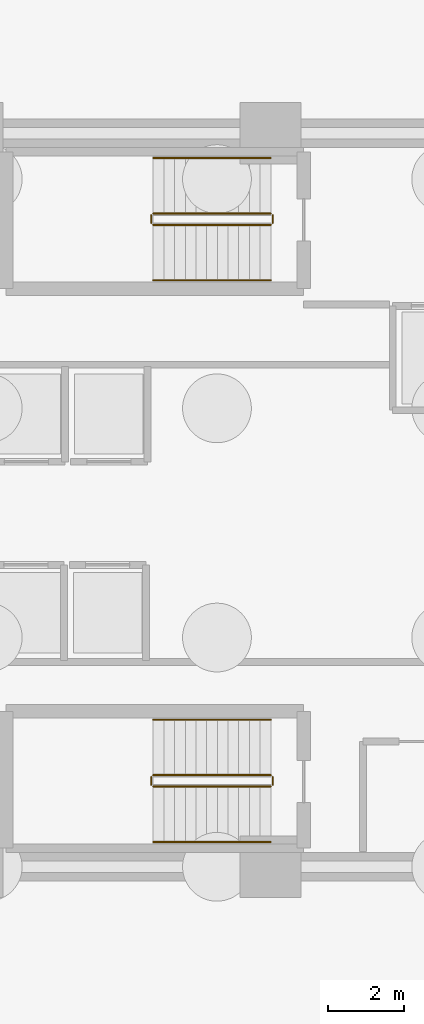
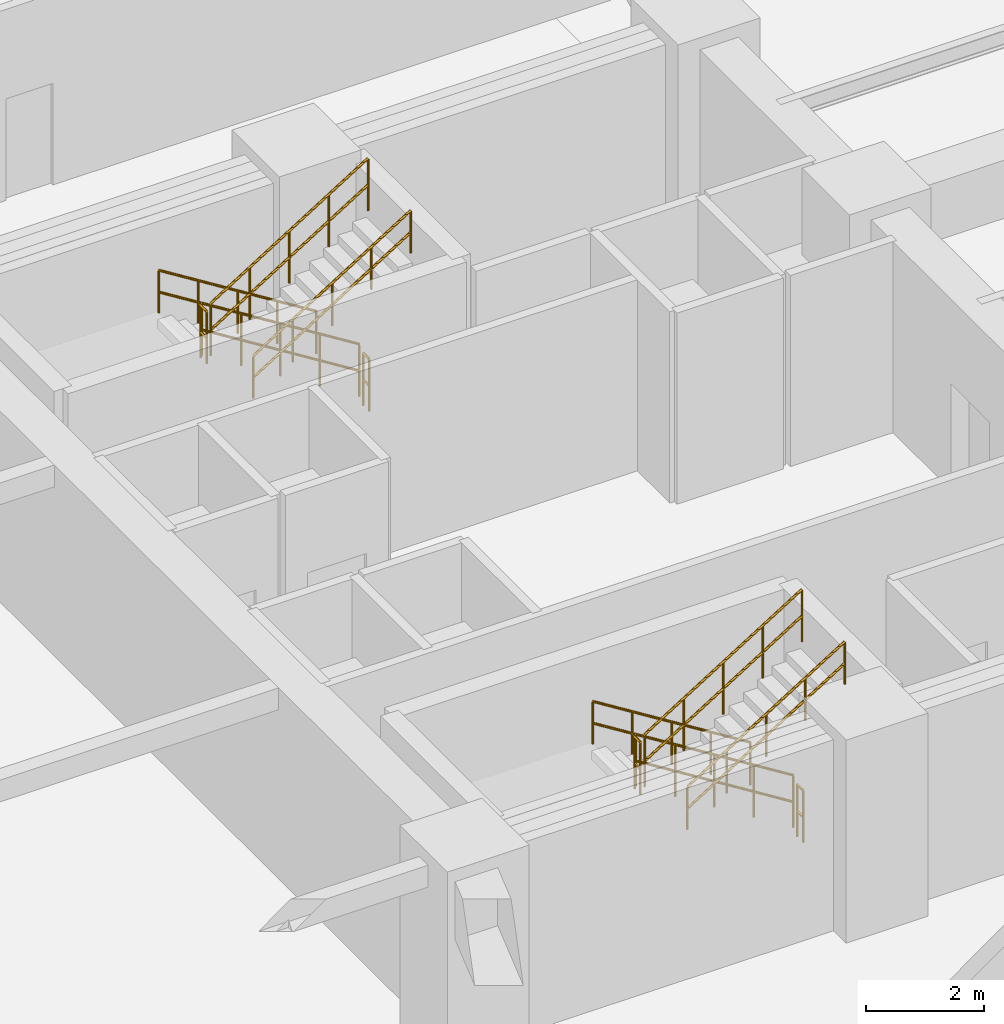
# One storey, part 7 of 8: 12 railings.
"""IFC4 building model written with IfcOpenShell, lengths in metres."""

from ifc_helpers import new_model, si_unit, direction, frame, origin, origin_2d, place, context, subcontext, project, spatial, circle, extrude, material, type_object, element, save


model = new_model("IFC4")

# Units and contexts
model_context = context("Model", 3, precision=1e-05, world=origin(), true_north=direction((0.0, 1.0)))
body_context = subcontext(model_context, "Body", "Model", "MODEL_VIEW")
ifc_project = project(units=[si_unit("LENGTHUNIT", "METRE"), si_unit("AREAUNIT", "SQUARE_METRE"), si_unit("VOLUMEUNIT", "CUBIC_METRE"), si_unit("PLANEANGLEUNIT", "RADIAN"), si_unit("MASSUNIT", "GRAM", prefix="KILO")], contexts=[model_context])

# Site, building, storey
site_placement = place(None, origin())
site = spatial("IfcSite", under=ifc_project, at=site_placement, CompositionType="ELEMENT")
building_placement = place(site_placement, origin())
building = spatial("IfcBuilding", under=site, at=building_placement, Name="An Khanh Terracotta Commons", CompositionType="ELEMENT")
storey_placement = place(building_placement, frame((0.0, 0.0, -8.39990234375)))
storey = spatial("IfcBuildingStorey", under=building, at=storey_placement, Name="B02", CompositionType="ELEMENT", Elevation=-8.39990234375)

# Railings
ifc_material_1 = material(Name="Brushed Stainless Steel 316", Category="steel")
railing_type_1 = type_object("IfcRailingType", Name="RAIL-HANDRAIL-900", PredefinedType="HANDRAIL", material=ifc_material_1)
railing_1_placement = place(storey_placement, frame((29.409912109375, 32.949951171875, 0.1748046875)))
element("IfcRailing", 1, at=railing_1_placement, inside=storey, type_object=railing_type_1, Name="B02 ST-01 stair handrail 1", PredefinedType="HANDRAIL", context=body_context, shape_type="SweptSolid", body=[
    extrude(circle(Radius=0.02392578125, at=origin_2d()), frame((0.0, 0.0, 0.8759765625), z_axis=(-0.847979421464, 0.0, 0.530029150871), x_axis=(0.0, -1.0, 0.0)), (0.0, 0.0, 1.0), 3.632080078125),
    extrude(circle(Radius=0.02392578125, at=origin_2d()), frame((0.0, 0.0, 0.42578125), z_axis=(-0.847979421464, 0.0, 0.530029150871), x_axis=(0.0, -1.0, 0.0)), (0.0, 0.0, 1.0), 3.632080078125),
    extrude(circle(Radius=0.02099609375, at=origin_2d()), origin(), (0.0, 0.0, 1.0), 0.851806640625),
    extrude(circle(Radius=0.02099609375, at=origin_2d()), frame((-0.77001953125, 0.0, 0.481201171875)), (0.0, 0.0, 1.0), 0.851806640625),
    extrude(circle(Radius=0.02099609375, at=origin_2d()), frame((-1.5400390625, 0.0, 0.96240234375)), (0.0, 0.0, 1.0), 0.851806640625),
    extrude(circle(Radius=0.02099609375, at=origin_2d()), frame((-2.309814453125, 0.0, 1.44384765625)), (0.0, 0.0, 1.0), 0.851806640625),
    extrude(circle(Radius=0.02099609375, at=origin_2d()), frame((-3.079833984375, 0.0, 1.925048828125)), (0.0, 0.0, 1.0), 0.851806640625),
])
railing_2_placement = place(storey_placement, frame((26.330078125, 29.75, 2.27490234375)))
element("IfcRailing", 2, at=railing_2_placement, inside=storey, type_object=railing_type_1, Name="B02 ST-01 stair handrail 2", PredefinedType="HANDRAIL", context=body_context, shape_type="SweptSolid", body=[
    extrude(circle(Radius=0.02392578125, at=origin_2d()), frame((0.0, 0.0, 0.8759765625), z_axis=(0.847979421464, 0.0, 0.530029150871), x_axis=(0.0, 1.0, 0.0)), (0.0, 0.0, 1.0), 3.632080078125),
    extrude(circle(Radius=0.02392578125, at=origin_2d()), frame((0.0, 0.0, 0.42578125), z_axis=(0.847979421464, 0.0, 0.530029150871), x_axis=(0.0, 1.0, 0.0)), (0.0, 0.0, 1.0), 3.632080078125),
    extrude(circle(Radius=0.02099609375, at=origin_2d()), origin(), (0.0, 0.0, 1.0), 0.851806640625),
    extrude(circle(Radius=0.02099609375, at=origin_2d()), frame((0.77001953125, 0.0, 0.481201171875)), (0.0, 0.0, 1.0), 0.851806640625),
    extrude(circle(Radius=0.02099609375, at=origin_2d()), frame((1.5400390625, 0.0, 0.96240234375)), (0.0, 0.0, 1.0), 0.851806640625),
    extrude(circle(Radius=0.02099609375, at=origin_2d()), frame((2.309814453125, 0.0, 1.44384765625)), (0.0, 0.0, 1.0), 0.851806640625),
    extrude(circle(Radius=0.02099609375, at=origin_2d()), frame((3.079833984375, 0.0, 1.925048828125)), (0.0, 0.0, 1.0), 0.851806640625),
])
railing_3_placement = place(storey_placement, frame((29.409912109375, 18.25, 0.1748046875)))
element("IfcRailing", 3, at=railing_3_placement, inside=storey, type_object=railing_type_1, Name="B02 ST-02 stair handrail 1", PredefinedType="HANDRAIL", context=body_context, shape_type="SweptSolid", body=[
    extrude(circle(Radius=0.02392578125, at=origin_2d()), frame((0.0, 0.0, 0.8759765625), z_axis=(-0.847979421464, 0.0, 0.530029150871), x_axis=(0.0, -1.0, 0.0)), (0.0, 0.0, 1.0), 3.632080078125),
    extrude(circle(Radius=0.02392578125, at=origin_2d()), frame((0.0, 0.0, 0.42578125), z_axis=(-0.847979421464, 0.0, 0.530029150871), x_axis=(0.0, -1.0, 0.0)), (0.0, 0.0, 1.0), 3.632080078125),
    extrude(circle(Radius=0.02099609375, at=origin_2d()), origin(), (0.0, 0.0, 1.0), 0.851806640625),
    extrude(circle(Radius=0.02099609375, at=origin_2d()), frame((-0.77001953125, 0.0, 0.481201171875)), (0.0, 0.0, 1.0), 0.851806640625),
    extrude(circle(Radius=0.02099609375, at=origin_2d()), frame((-1.5400390625, 0.0, 0.96240234375)), (0.0, 0.0, 1.0), 0.851806640625),
    extrude(circle(Radius=0.02099609375, at=origin_2d()), frame((-2.309814453125, 0.0, 1.44384765625)), (0.0, 0.0, 1.0), 0.851806640625),
    extrude(circle(Radius=0.02099609375, at=origin_2d()), frame((-3.079833984375, 0.0, 1.925048828125)), (0.0, 0.0, 1.0), 0.851806640625),
])
railing_4_placement = place(storey_placement, frame((26.330078125, 15.050048828125, 2.27490234375)))
element("IfcRailing", 4, at=railing_4_placement, inside=storey, type_object=railing_type_1, Name="B02 ST-02 stair handrail 2", PredefinedType="HANDRAIL", context=body_context, shape_type="SweptSolid", body=[
    extrude(circle(Radius=0.02392578125, at=origin_2d()), frame((0.0, 0.0, 0.8759765625), z_axis=(0.847979421464, 0.0, 0.530029150871), x_axis=(0.0, 1.0, 0.0)), (0.0, 0.0, 1.0), 3.632080078125),
    extrude(circle(Radius=0.02392578125, at=origin_2d()), frame((0.0, 0.0, 0.42578125), z_axis=(0.847979421464, 0.0, 0.530029150871), x_axis=(0.0, 1.0, 0.0)), (0.0, 0.0, 1.0), 3.632080078125),
    extrude(circle(Radius=0.02099609375, at=origin_2d()), origin(), (0.0, 0.0, 1.0), 0.851806640625),
    extrude(circle(Radius=0.02099609375, at=origin_2d()), frame((0.77001953125, 0.0, 0.481201171875)), (0.0, 0.0, 1.0), 0.851806640625),
    extrude(circle(Radius=0.02099609375, at=origin_2d()), frame((1.5400390625, 0.0, 0.96240234375)), (0.0, 0.0, 1.0), 0.851806640625),
    extrude(circle(Radius=0.02099609375, at=origin_2d()), frame((2.309814453125, 0.0, 1.44384765625)), (0.0, 0.0, 1.0), 0.851806640625),
    extrude(circle(Radius=0.02099609375, at=origin_2d()), frame((3.079833984375, 0.0, 1.925048828125)), (0.0, 0.0, 1.0), 0.851806640625),
])
ifc_material_2 = material(Name="Powder-Coated Steel S355J2", Category="steel")
railing_type_2 = type_object("IfcRailingType", Name="RAIL-STAIR-GUARD-1100", PredefinedType="BALUSTRADE", material=ifc_material_2)
railing_5_placement = place(storey_placement, frame((29.409912109375, 31.5, 0.1748046875)))
element("IfcRailing", 5, at=railing_5_placement, inside=storey, type_object=railing_type_2, Name="B02 ST-01 stair guard 1", PredefinedType="BALUSTRADE", context=body_context, shape_type="SweptSolid", body=[
    extrude(circle(Radius=0.02392578125, at=origin_2d()), frame((0.0, 0.0, 1.076171875), z_axis=(-0.847979421464, 0.0, 0.530029150871), x_axis=(0.0, -1.0, 0.0)), (0.0, 0.0, 1.0), 3.632080078125),
    extrude(circle(Radius=0.02392578125, at=origin_2d()), frame((0.0, 0.0, 0.52587890625), z_axis=(-0.847979421464, 0.0, 0.530029150871), x_axis=(0.0, -1.0, 0.0)), (0.0, 0.0, 1.0), 3.632080078125),
    extrude(circle(Radius=0.02099609375, at=origin_2d()), origin(), (0.0, 0.0, 1.0), 1.052001953125),
    extrude(circle(Radius=0.02099609375, at=origin_2d()), frame((-0.77001953125, 0.0, 0.481201171875)), (0.0, 0.0, 1.0), 1.052001953125),
    extrude(circle(Radius=0.02099609375, at=origin_2d()), frame((-1.5400390625, 0.0, 0.96240234375)), (0.0, 0.0, 1.0), 1.052001953125),
    extrude(circle(Radius=0.02099609375, at=origin_2d()), frame((-2.309814453125, 0.0, 1.44384765625)), (0.0, 0.0, 1.0), 1.052001953125),
    extrude(circle(Radius=0.02099609375, at=origin_2d()), frame((-3.079833984375, 0.0, 1.925048828125)), (0.0, 0.0, 1.0), 1.052001953125),
])
railing_6_placement = place(storey_placement, frame((26.280029296875, 31.449951171875, 2.099853515625)))
element("IfcRailing", 6, at=railing_6_placement, inside=storey, type_object=railing_type_2, Name="B02 ST-01 stair guard 2", PredefinedType="BALUSTRADE", context=body_context, shape_type="SweptSolid", body=[
    extrude(circle(Radius=0.02392578125, at=origin_2d()), frame((0.0, 0.0, 1.076171875), z_axis=(0.0, -1.0, 0.0), x_axis=(1.0, 0.0, 0.0)), (0.0, 0.0, 1.0), 0.199951171875),
    extrude(circle(Radius=0.02392578125, at=origin_2d()), frame((0.0, 0.0, 0.52587890625), z_axis=(0.0, -1.0, 0.0), x_axis=(1.0, 0.0, 0.0)), (0.0, 0.0, 1.0), 0.199951171875),
    extrude(circle(Radius=0.02099609375, at=origin_2d()), origin(), (0.0, 0.0, 1.0), 1.052001953125),
    extrude(circle(Radius=0.02099609375, at=origin_2d()), frame((0.0, -0.199951171875, 0.0)), (0.0, 0.0, 1.0), 1.052001953125),
])
railing_7_placement = place(storey_placement, frame((26.330078125, 31.199951171875, 2.27490234375)))
element("IfcRailing", 7, at=railing_7_placement, inside=storey, type_object=railing_type_2, Name="B02 ST-01 stair guard 3", PredefinedType="BALUSTRADE", context=body_context, shape_type="SweptSolid", body=[
    extrude(circle(Radius=0.02392578125, at=origin_2d()), frame((0.0, 0.0, 1.076171875), z_axis=(0.847979421464, 0.0, 0.530029150871), x_axis=(0.0, 1.0, 0.0)), (0.0, 0.0, 1.0), 3.632080078125),
    extrude(circle(Radius=0.02392578125, at=origin_2d()), frame((0.0, 0.0, 0.52587890625), z_axis=(0.847979421464, 0.0, 0.530029150871), x_axis=(0.0, 1.0, 0.0)), (0.0, 0.0, 1.0), 3.632080078125),
    extrude(circle(Radius=0.02099609375, at=origin_2d()), origin(), (0.0, 0.0, 1.0), 1.052001953125),
    extrude(circle(Radius=0.02099609375, at=origin_2d()), frame((0.77001953125, 0.0, 0.481201171875)), (0.0, 0.0, 1.0), 1.052001953125),
    extrude(circle(Radius=0.02099609375, at=origin_2d()), frame((1.5400390625, 0.0, 0.96240234375)), (0.0, 0.0, 1.0), 1.052001953125),
    extrude(circle(Radius=0.02099609375, at=origin_2d()), frame((2.309814453125, 0.0, 1.44384765625)), (0.0, 0.0, 1.0), 1.052001953125),
    extrude(circle(Radius=0.02099609375, at=origin_2d()), frame((3.079833984375, 0.0, 1.925048828125)), (0.0, 0.0, 1.0), 1.052001953125),
])
railing_8_placement = place(storey_placement, frame((29.4599609375, 31.449951171875, 0.0)))
element("IfcRailing", 8, at=railing_8_placement, inside=storey, type_object=railing_type_2, Name="B02 ST-01 stair guard 4", PredefinedType="BALUSTRADE", context=body_context, shape_type="SweptSolid", body=[
    extrude(circle(Radius=0.02392578125, at=origin_2d()), frame((0.0, 0.0, 1.076171875), z_axis=(0.0, -1.0, 0.0), x_axis=(1.0, 0.0, 0.0)), (0.0, 0.0, 1.0), 0.199951171875),
    extrude(circle(Radius=0.02392578125, at=origin_2d()), frame((0.0, 0.0, 0.52587890625), z_axis=(0.0, -1.0, 0.0), x_axis=(1.0, 0.0, 0.0)), (0.0, 0.0, 1.0), 0.199951171875),
    extrude(circle(Radius=0.02099609375, at=origin_2d()), origin(), (0.0, 0.0, 1.0), 1.052001953125),
    extrude(circle(Radius=0.02099609375, at=origin_2d()), frame((0.0, -0.199951171875, 0.0)), (0.0, 0.0, 1.0), 1.052001953125),
])
railing_9_placement = place(storey_placement, frame((29.409912109375, 16.800048828125, 0.1748046875)))
element("IfcRailing", 9, at=railing_9_placement, inside=storey, type_object=railing_type_2, Name="B02 ST-02 stair guard 1", PredefinedType="BALUSTRADE", context=body_context, shape_type="SweptSolid", body=[
    extrude(circle(Radius=0.02392578125, at=origin_2d()), frame((0.0, 0.0, 1.076171875), z_axis=(-0.847979421464, 0.0, 0.530029150871), x_axis=(0.0, -1.0, 0.0)), (0.0, 0.0, 1.0), 3.632080078125),
    extrude(circle(Radius=0.02392578125, at=origin_2d()), frame((0.0, 0.0, 0.52587890625), z_axis=(-0.847979421464, 0.0, 0.530029150871), x_axis=(0.0, -1.0, 0.0)), (0.0, 0.0, 1.0), 3.632080078125),
    extrude(circle(Radius=0.02099609375, at=origin_2d()), origin(), (0.0, 0.0, 1.0), 1.052001953125),
    extrude(circle(Radius=0.02099609375, at=origin_2d()), frame((-0.77001953125, 0.0, 0.481201171875)), (0.0, 0.0, 1.0), 1.052001953125),
    extrude(circle(Radius=0.02099609375, at=origin_2d()), frame((-1.5400390625, 0.0, 0.96240234375)), (0.0, 0.0, 1.0), 1.052001953125),
    extrude(circle(Radius=0.02099609375, at=origin_2d()), frame((-2.309814453125, 0.0, 1.44384765625)), (0.0, 0.0, 1.0), 1.052001953125),
    extrude(circle(Radius=0.02099609375, at=origin_2d()), frame((-3.079833984375, 0.0, 1.925048828125)), (0.0, 0.0, 1.0), 1.052001953125),
])
railing_10_placement = place(storey_placement, frame((26.280029296875, 16.75, 2.099853515625)))
element("IfcRailing", 10, at=railing_10_placement, inside=storey, type_object=railing_type_2, Name="B02 ST-02 stair guard 2", PredefinedType="BALUSTRADE", context=body_context, shape_type="SweptSolid", body=[
    extrude(circle(Radius=0.02392578125, at=origin_2d()), frame((0.0, 0.0, 1.076171875), z_axis=(0.0, -1.0, 0.0), x_axis=(1.0, 0.0, 0.0)), (0.0, 0.0, 1.0), 0.199951171875),
    extrude(circle(Radius=0.02392578125, at=origin_2d()), frame((0.0, 0.0, 0.52587890625), z_axis=(0.0, -1.0, 0.0), x_axis=(1.0, 0.0, 0.0)), (0.0, 0.0, 1.0), 0.199951171875),
    extrude(circle(Radius=0.02099609375, at=origin_2d()), origin(), (0.0, 0.0, 1.0), 1.052001953125),
    extrude(circle(Radius=0.02099609375, at=origin_2d()), frame((0.0, -0.199951171875, 0.0)), (0.0, 0.0, 1.0), 1.052001953125),
])
railing_11_placement = place(storey_placement, frame((26.330078125, 16.5, 2.27490234375)))
element("IfcRailing", 11, at=railing_11_placement, inside=storey, type_object=railing_type_2, Name="B02 ST-02 stair guard 3", PredefinedType="BALUSTRADE", context=body_context, shape_type="SweptSolid", body=[
    extrude(circle(Radius=0.02392578125, at=origin_2d()), frame((0.0, 0.0, 1.076171875), z_axis=(0.847979421464, 0.0, 0.530029150871), x_axis=(0.0, 1.0, 0.0)), (0.0, 0.0, 1.0), 3.632080078125),
    extrude(circle(Radius=0.02392578125, at=origin_2d()), frame((0.0, 0.0, 0.52587890625), z_axis=(0.847979421464, 0.0, 0.530029150871), x_axis=(0.0, 1.0, 0.0)), (0.0, 0.0, 1.0), 3.632080078125),
    extrude(circle(Radius=0.02099609375, at=origin_2d()), origin(), (0.0, 0.0, 1.0), 1.052001953125),
    extrude(circle(Radius=0.02099609375, at=origin_2d()), frame((0.77001953125, 0.0, 0.481201171875)), (0.0, 0.0, 1.0), 1.052001953125),
    extrude(circle(Radius=0.02099609375, at=origin_2d()), frame((1.5400390625, 0.0, 0.96240234375)), (0.0, 0.0, 1.0), 1.052001953125),
    extrude(circle(Radius=0.02099609375, at=origin_2d()), frame((2.309814453125, 0.0, 1.44384765625)), (0.0, 0.0, 1.0), 1.052001953125),
    extrude(circle(Radius=0.02099609375, at=origin_2d()), frame((3.079833984375, 0.0, 1.925048828125)), (0.0, 0.0, 1.0), 1.052001953125),
])
railing_12_placement = place(storey_placement, frame((29.4599609375, 16.75, 0.0)))
element("IfcRailing", 12, at=railing_12_placement, inside=storey, type_object=railing_type_2, Name="B02 ST-02 stair guard 4", PredefinedType="BALUSTRADE", context=body_context, shape_type="SweptSolid", body=[
    extrude(circle(Radius=0.02392578125, at=origin_2d()), frame((0.0, 0.0, 1.076171875), z_axis=(0.0, -1.0, 0.0), x_axis=(1.0, 0.0, 0.0)), (0.0, 0.0, 1.0), 0.199951171875),
    extrude(circle(Radius=0.02392578125, at=origin_2d()), frame((0.0, 0.0, 0.52587890625), z_axis=(0.0, -1.0, 0.0), x_axis=(1.0, 0.0, 0.0)), (0.0, 0.0, 1.0), 0.199951171875),
    extrude(circle(Radius=0.02099609375, at=origin_2d()), origin(), (0.0, 0.0, 1.0), 1.052001953125),
    extrude(circle(Radius=0.02099609375, at=origin_2d()), frame((0.0, -0.199951171875, 0.0)), (0.0, 0.0, 1.0), 1.052001953125),
])

save(model, "model.ifc")
